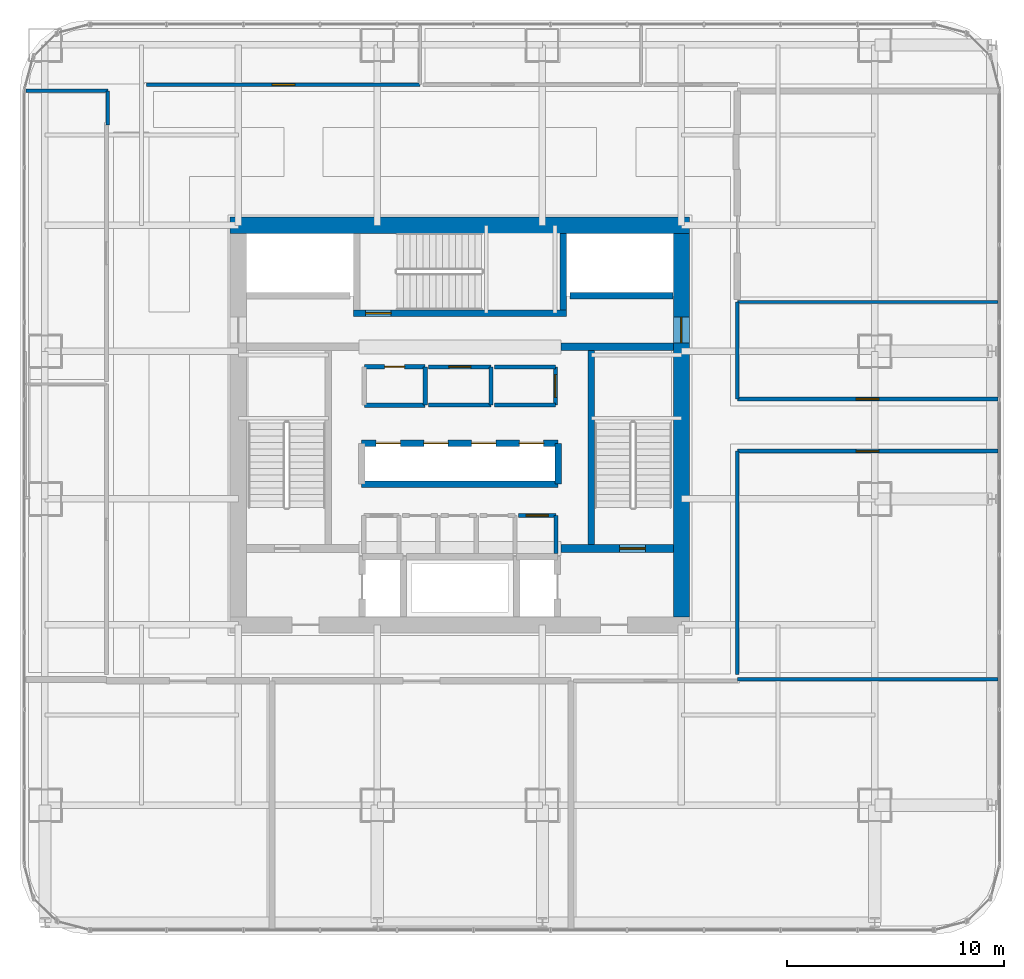
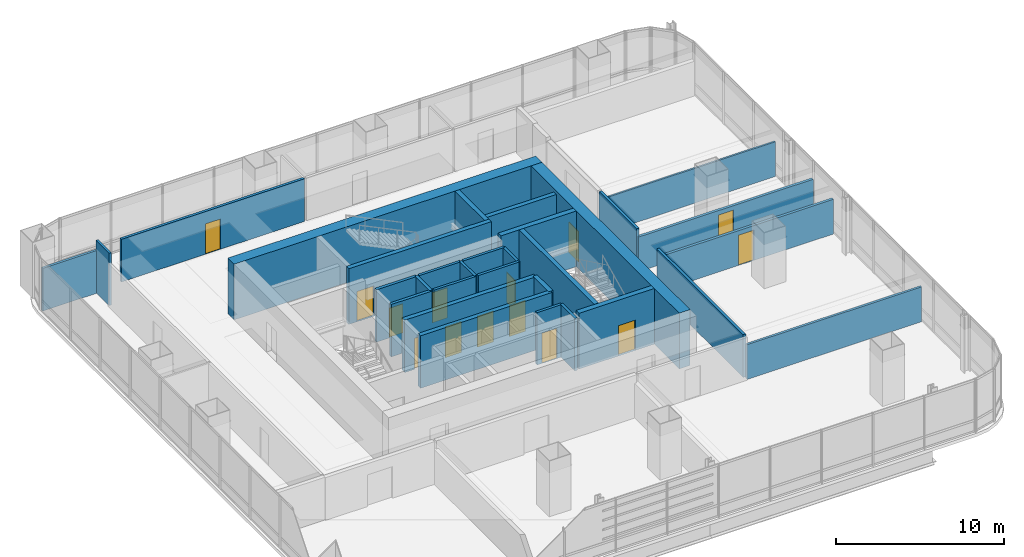
# One storey, part 28 of 34: 31 walls, 14 doors, 14 openings.
"""IFC4 building model written with IfcOpenShell, lengths in metres."""

import ifcopenshell
import ifcopenshell.guid

model = None  # the IFC model being written
_history = None  # IfcOwnerHistory: only IFC2X3 demands one
_inside = {}  # id of a spatial element -> (the spatial element, [elements in it])
_under = {}  # id of a project, library or spatial element -> (it, [spatial elements below it])
_declared = {}  # id of a project -> (the project, [libraries it declares])
_typed = {}  # id of a type object -> (the type object, [elements of that type])
_made_of = {}  # id of a material, layer set ... -> (it, [elements and type objects made of it])


def new_model(schema):
    """Start an empty IFC model of exactly this schema.

    Asked for "IFC4X3", IfcOpenShell would pick the latest addendum, in which some entities
    have other attributes; the version numbers below select the first issue.
    IFC2X3 requires an IfcOwnerHistory on every rooted entity: one is made here for all.
    """
    global model, _history
    if schema == "IFC4X3":
        model = ifcopenshell.file(schema_version=(4, 3, 0, 0))
    else:
        model = ifcopenshell.file(schema=schema)
    _inside.clear()
    _under.clear()
    _declared.clear()
    _typed.clear()
    _made_of.clear()
    _history = None
    if model.schema == "IFC2X3":
        org = make("IfcOrganization", Name="unknown")
        user = make(
            "IfcPersonAndOrganization",
            ThePerson=make("IfcPerson", FamilyName="unknown"),
            TheOrganization=org,
        )
        app = make(
            "IfcApplication",
            ApplicationDeveloper=org,
            Version="unknown",
            ApplicationFullName="unknown",
            ApplicationIdentifier="unknown",
        )
        _history = make(
            "IfcOwnerHistory",
            OwningUser=user,
            OwningApplication=app,
            ChangeAction="ADDED",
            CreationDate=0,
        )
    return model


def make(cls, **values):
    """One entity of the class cls with the attributes given. An attribute that is None is left unset."""
    return model.create_entity(
        cls, **{name: value for name, value in values.items() if value is not None}
    )


def rooted(cls, **values):
    """An entity with a GlobalId (a new one), such as an element, a storey or a relation."""
    return make(cls, GlobalId=ifcopenshell.guid.new(), OwnerHistory=_history, **values)


def si_unit(unit_type, name, prefix=None):
    """IfcSIUnit, for example si_unit("LENGTHUNIT", "METRE", prefix="MILLI")."""
    return make("IfcSIUnit", UnitType=unit_type, Prefix=prefix, Name=name)


def assignment(units):
    """IfcUnitAssignment: the units of a project."""
    return None if units is None else make("IfcUnitAssignment", Units=units)


def point(xyz):
    """IfcCartesianPoint."""
    return None if xyz is None else make("IfcCartesianPoint", Coordinates=xyz)


def direction(xyz):
    """IfcDirection."""
    return None if xyz is None else make("IfcDirection", DirectionRatios=xyz)


def frame(location, z_axis=None, x_axis=None):
    """IfcAxis2Placement3D, a coordinate frame: its origin and axes. An axis left out is left unset."""
    return make(
        "IfcAxis2Placement3D",
        Location=point(location),
        Axis=direction(z_axis),
        RefDirection=direction(x_axis),
    )


def frame_2d(location, x_axis=None):
    """IfcAxis2Placement2D, a coordinate frame in the plane: its origin and x axis."""
    return make(
        "IfcAxis2Placement2D", Location=point(location), RefDirection=direction(x_axis)
    )


def origin():
    """The frame at (0, 0, 0) with its axes left unset."""
    return frame((0.0, 0.0, 0.0))


def place(relative_to, where):
    """IfcLocalPlacement: puts the frame where relative to a parent placement (None: the world)."""
    return make(
        "IfcLocalPlacement", PlacementRelTo=relative_to, RelativePlacement=where
    )


def context(
    kind, dimensions, precision=None, world=None, true_north=None, identifier=None
):
    """IfcGeometricRepresentationContext, for example the 3D "Model" context."""
    return make(
        "IfcGeometricRepresentationContext",
        ContextIdentifier=identifier,
        ContextType=kind,
        CoordinateSpaceDimension=dimensions,
        Precision=precision,
        WorldCoordinateSystem=world,
        TrueNorth=true_north,
    )


def subcontext(parent, identifier, kind, view, scale=None):
    """IfcGeometricRepresentationSubContext, for example "Body" below "Model"."""
    return make(
        "IfcGeometricRepresentationSubContext",
        ContextIdentifier=identifier,
        ContextType=kind,
        ParentContext=parent,
        TargetScale=scale,
        TargetView=view,
    )


def project(units=None, contexts=None):
    """IfcProject with its units and contexts."""
    return rooted(
        "IfcProject",
        Name="project",
        RepresentationContexts=contexts,
        UnitsInContext=assignment(units),
    )


def spatial(cls, under=None, at=None, **own):
    """A site, building, storey or space (cls), placed at a placement, below another one or the project."""
    s = rooted(cls, ObjectPlacement=at, **own)
    if under is not None:
        _under.setdefault(under.id(), (under, []))[1].append(s)
    return s


def profile(cls, at=None, kind="AREA", **sizes):
    """A parametric profile (cls). Its sizes go by their IFC names, for example OverallWidth=200.0."""
    return make(cls, ProfileType=kind, Position=at, **sizes)


def rectangle(**sizes):
    """IfcRectangleProfileDef."""
    return profile("IfcRectangleProfileDef", **sizes)


def extrude(swept, where, along, depth):
    """IfcExtrudedAreaSolid: the profile swept, set in the frame where, extruded along a direction by depth."""
    return make(
        "IfcExtrudedAreaSolid",
        SweptArea=swept,
        Position=where,
        ExtrudedDirection=direction(along),
        Depth=depth,
    )


def shape(context_of_items, identifier, shape_type, items):
    """IfcShapeRepresentation: the items that make up one representation, for example the "Body"."""
    return make(
        "IfcShapeRepresentation",
        ContextOfItems=context_of_items,
        RepresentationIdentifier=identifier,
        RepresentationType=shape_type,
        Items=items,
    )


def material(Name=None, Category=None):
    """IfcMaterial."""
    return make("IfcMaterial", Name=Name, Category=Category)


def layer(
    of_material, thickness, ventilated=None, Name=None, Category=None, Priority=None
):
    """IfcMaterialLayer: one layer of a wall or slab, of a material (None: an air gap)."""
    return make(
        "IfcMaterialLayer",
        Material=of_material,
        LayerThickness=thickness,
        IsVentilated=ventilated,
        Name=Name,
        Category=Category,
        Priority=Priority,
    )


def layer_set(layers, Name=None):
    """IfcMaterialLayerSet."""
    return make("IfcMaterialLayerSet", MaterialLayers=layers, LayerSetName=Name)


def made_of(thing, what):
    """Note that an element or type object is made of a material, layer set ...; save() writes the relation."""
    if what is not None:
        _made_of.setdefault(what.id(), (what, []))[1].append(thing)
    return thing


def type_object(cls, material=None, **own):
    """A type object (cls), such as IfcWallType, which elements share."""
    return made_of(rooted(cls, **own), material)


def element(
    cls,
    number,
    at=None,
    inside=None,
    cuts=None,
    type_object=None,
    material=None,
    context=None,
    identifier="Body",
    shape_type=None,
    held_by="IfcProductDefinitionShape",
    body=None,
    shapes=None,
    **own,
):
    """One element of the class cls, such as IfcWall. Its Tag is "e" and its number.

    at: its placement. inside: the storey or other place that contains it. cuts: it is an
    opening in that element (IfcRelVoidsElement). A single representation is given by context,
    identifier, shape_type and body (its items); several are given by shapes. held_by: the class
    of the entity that holds the representations. save() writes the other relations.
    """
    e = rooted(cls, Tag="e%d" % number, ObjectPlacement=at, **own)
    if body is not None:
        shapes = [shape(context, identifier, shape_type, body)]
    if shapes is not None:
        e.Representation = make(held_by, Representations=shapes)
    if inside is not None:
        _inside.setdefault(inside.id(), (inside, []))[1].append(e)
    if cuts is not None:
        rooted(
            "IfcRelVoidsElement", RelatingBuildingElement=cuts, RelatedOpeningElement=e
        )
    if type_object is not None:
        _typed.setdefault(type_object.id(), (type_object, []))[1].append(e)
    return made_of(e, material)


def fill(opening, filler):
    """IfcRelFillsElement: the door or window that sits in an opening."""
    return rooted(
        "IfcRelFillsElement",
        RelatingOpeningElement=opening,
        RelatedBuildingElement=filler,
    )


def aggregate(whole, parts):
    """IfcRelAggregates: a whole, such as a stair, and the parts it consists of."""
    return rooted("IfcRelAggregates", RelatingObject=whole, RelatedObjects=parts)


def save(model, path):
    """Write the relations noted so far, then the file.

    IfcRelAggregates (storeys below a building ...), IfcRelContainedInSpatialStructure (elements
    in a storey), IfcRelDefinesByType, IfcRelAssociatesMaterial and IfcRelDeclares: one each for
    every whole, place, type object, material and project.
    """
    for whole, parts in _under.values():
        aggregate(whole, parts)
    for where, things in _inside.values():
        rooted(
            "IfcRelContainedInSpatialStructure",
            RelatedElements=things,
            RelatingStructure=where,
        )
    for kind, things in _typed.values():
        rooted("IfcRelDefinesByType", RelatedObjects=things, RelatingType=kind)
    for what, things in _made_of.values():
        rooted("IfcRelAssociatesMaterial", RelatedObjects=things, RelatingMaterial=what)
    for by, libraries in _declared.values():
        rooted("IfcRelDeclares", RelatingContext=by, RelatedDefinitions=libraries)
    model.write(path)


model = new_model("IFC4")

# Units and contexts
model_context = context("Model", 3, precision=1e-05, world=origin(), true_north=direction((0.0, 1.0)))
body_context = subcontext(model_context, "Body", "Model", "MODEL_VIEW")
ifc_project = project(units=[si_unit("LENGTHUNIT", "METRE"), si_unit("AREAUNIT", "SQUARE_METRE"), si_unit("VOLUMEUNIT", "CUBIC_METRE"), si_unit("PLANEANGLEUNIT", "RADIAN"), si_unit("MASSUNIT", "GRAM", prefix="KILO")], contexts=[model_context])

# Site, building, storey
site_placement = place(None, origin())
site = spatial("IfcSite", under=ifc_project, at=site_placement, CompositionType="ELEMENT")
building_placement = place(site_placement, origin())
building = spatial("IfcBuilding", under=site, at=building_placement, Name="Punatoya Terracotta Tower", CompositionType="ELEMENT")
storey_placement = place(building_placement, frame((0.0, 0.0, 80.85009765625)))
storey = spatial("IfcBuildingStorey", under=building, at=storey_placement, Name="L18", CompositionType="ELEMENT", Elevation=80.85009765625)

# Wall
ifc_material_1 = material(Name="Concrete C60/75", Category="concrete")
ifc_layer_1 = layer(ifc_material_1, 0.75)
ifc_layer_set_1 = layer_set([ifc_layer_1], Name="Concrete C60/75")
wall_type_1 = type_object("IfcWallType", Name="WL-COR-750", PredefinedType="SHEAR", material=ifc_layer_set_1)
wall_1_placement = place(storey_placement, frame((-10.574951171875, 9.199951171875, 0.0), z_axis=(0.0, 0.0, 1.0), x_axis=(1.0, 0.0, 0.0)))
element("IfcWall", 1, at=wall_1_placement, inside=storey, type_object=wall_type_1, Name="L18 Core Shear Wall N", PredefinedType="SHEAR", context=body_context, shape_type="SweptSolid", body=[
    extrude(rectangle(XDim=21.14990234375, YDim=0.75, at=frame_2d((10.574951171875, 0.0))), origin(), (0.0, 0.0, 1.0), 4.0498046875),
])

# Wall, opening, door
wall_2_placement = place(storey_placement, frame((10.199951171875, 8.824951171875, 0.0), z_axis=(0.0, 0.0, 1.0), x_axis=(0.0, -1.0, 0.0)))
wall_2 = element("IfcWall", 2, at=wall_2_placement, inside=storey, type_object=wall_type_1, Name="L18 Core Shear Wall E", PredefinedType="SHEAR", context=body_context, shape_type="SweptSolid", body=[
    extrude(rectangle(XDim=17.64990234375, YDim=0.75, at=frame_2d((8.824951171875, 0.0))), origin(), (0.0, 0.0, 1.0), 4.0498046875),
])
opening_1_placement = place(wall_2_placement, frame((3.85498046875, 0.0, 0.0)))
opening_1 = element("IfcOpeningElement", 3, at=opening_1_placement, cuts=wall_2, Name="Opening SD-01", PredefinedType="OPENING", context=body_context, shape_type="SweptSolid", body=[
    extrude(rectangle(XDim=1.179931640625, YDim=2.199951171875, at=frame_2d((0.58984375, 1.10009765625))), frame((0.0, 0.385009765625, 0.0), z_axis=(0.0, -1.0, 0.0), x_axis=(1.0, 0.0, 0.0)), (0.0, 0.0, 1.0), 0.77001953125),
])
ifc_material_2 = material(Name="Galvanised Steel Pressurized Stair Fire Door", Category="steel")
door_type_1 = type_object("IfcDoorType", Name="DR-STR-1180", OperationType="NOTDEFINED", PredefinedType="DOOR", material=ifc_material_2)
door_1_placement = place(opening_1_placement, origin())
door_1 = element("IfcDoor", 4, at=door_1_placement, inside=storey, type_object=door_type_1, Name="L18 Central Lift Lobby East Fire Door", OperationType="SINGLE_SWING_RIGHT", OverallHeight=2.199951171875, OverallWidth=1.179931640625, PredefinedType="DOOR", context=body_context, shape_type="SweptSolid", body=[
    extrude(rectangle(XDim=1.179931640625, YDim=2.199951171875, at=frame_2d((0.58984375, 1.10009765625))), frame((0.0, 0.02490234375, 0.0), z_axis=(0.0, -1.0, 0.0), x_axis=(1.0, 0.0, 0.0)), (0.0, 0.0, 1.0), 0.050048828125),
])
fill(opening_1, door_1)

# Wall
ifc_material_3 = material(Name="Gypsum Fireboard + Steel Stud", Category="steel")
ifc_layer_2 = layer(ifc_material_3, 0.179931640625)
ifc_layer_set_2 = layer_set([ifc_layer_2], Name="Gypsum Fireboard + Steel Stud")
wall_type_2 = type_object("IfcWallType", Name="WL-CORR-180", PredefinedType="PARTITIONING", material=ifc_layer_set_2)
wall_3_placement = place(storey_placement, frame((4.419921875, -5.89990234375, 0.0), z_axis=(0.0, 0.0, 1.0), x_axis=(0.0, 1.0, 0.0)))
element("IfcWall", 5, at=wall_3_placement, inside=storey, type_object=wall_type_2, Name="L18 Core Focus Booth Partition 10", PredefinedType="PARTITIONING", context=body_context, shape_type="SweptSolid", body=[
    extrude(rectangle(XDim=1.739990234375, YDim=0.179931640625, at=frame_2d((0.8701171875, 0.0))), origin(), (0.0, 0.0, 1.0), 3.809814453125),
])

# Wall, opening, door
wall_4_placement = place(storey_placement, frame((4.419921875, -4.159912109375, 0.0), z_axis=(0.0, 0.0, 1.0), x_axis=(-1.0, 0.0, 0.0)))
wall_4 = element("IfcWall", 6, at=wall_4_placement, inside=storey, type_object=wall_type_2, Name="L18 Core Focus Booth Partition 11", PredefinedType="PARTITIONING", context=body_context, shape_type="SweptSolid", body=[
    extrude(rectangle(XDim=1.719970703125, YDim=0.179931640625, at=frame_2d((0.85986328125, 0.0))), origin(), (0.0, 0.0, 1.0), 3.809814453125),
])
opening_2_placement = place(wall_4_placement, frame((0.35009765625, 0.0, 0.0)))
opening_2 = element("IfcOpeningElement", 7, at=opening_2_placement, cuts=wall_4, Name="Opening MD-01", PredefinedType="OPENING", context=body_context, shape_type="SweptSolid", body=[
    extrude(rectangle(XDim=1.02001953125, YDim=2.199951171875, at=frame_2d((0.510009765625, 1.10009765625))), frame((0.0, 0.099853515625, 0.0), z_axis=(0.0, -1.0, 0.0), x_axis=(1.0, 0.0, 0.0)), (0.0, 0.0, 1.0), 0.199951171875),
])
ifc_material_4 = material(Name="Aluminium + Acoustic Glass Leaf", Category="aluminium")
door_type_2 = type_object("IfcDoorType", Name="DR-MTG-1020", OperationType="NOTDEFINED", PredefinedType="DOOR", material=ifc_material_4)
door_2_placement = place(opening_2_placement, origin())
door_2 = element("IfcDoor", 8, at=door_2_placement, inside=storey, type_object=door_type_2, Name="L18 Focus Booth Door", OperationType="SINGLE_SWING_RIGHT", OverallHeight=2.199951171875, OverallWidth=1.02001953125, PredefinedType="DOOR", context=body_context, shape_type="SweptSolid", body=[
    extrude(rectangle(XDim=1.02001953125, YDim=2.199951171875, at=frame_2d((0.510009765625, 1.10009765625))), frame((0.0, 0.02490234375, 0.0), z_axis=(0.0, -1.0, 0.0), x_axis=(1.0, 0.0, 0.0)), (0.0, 0.0, 1.0), 0.050048828125),
])
fill(opening_2, door_2)

# Wall
wall_5_placement = place(storey_placement, frame((1.43994140625, 0.919921875, 0.0), z_axis=(0.0, 0.0, 1.0), x_axis=(0.0, 1.0, 0.0)))
element("IfcWall", 9, at=wall_5_placement, inside=storey, type_object=wall_type_2, Name="L18 Center Core Briefing Pod Partition 16", PredefinedType="PARTITIONING", context=body_context, shape_type="SweptSolid", body=[
    extrude(rectangle(XDim=1.760009765625, YDim=0.179931640625, at=frame_2d((0.8798828125, 0.0))), origin(), (0.0, 0.0, 1.0), 3.809814453125),
])

# Wall, opening, door
wall_6_placement = place(storey_placement, frame((1.43994140625, 2.679931640625, 0.0), z_axis=(0.0, 0.0, 1.0), x_axis=(-1.0, 0.0, 0.0)))
wall_6 = element("IfcWall", 10, at=wall_6_placement, inside=storey, type_object=wall_type_2, Name="L18 Center Core Briefing Pod Partition 17", PredefinedType="PARTITIONING", context=body_context, shape_type="SweptSolid", body=[
    extrude(rectangle(XDim=2.8798828125, YDim=0.179931640625, at=frame_2d((1.43994140625, 0.0))), origin(), (0.0, 0.0, 1.0), 3.809814453125),
])
opening_3_placement = place(wall_6_placement, frame((0.929931640625, 0.0, 0.0)))
opening_3 = element("IfcOpeningElement", 11, at=opening_3_placement, cuts=wall_6, Name="Opening MD-01", PredefinedType="OPENING", context=body_context, shape_type="SweptSolid", body=[
    extrude(rectangle(XDim=1.02001953125, YDim=2.199951171875, at=frame_2d((0.510009765625, 1.10009765625))), frame((0.0, 0.099853515625, 0.0), z_axis=(0.0, -1.0, 0.0), x_axis=(1.0, 0.0, 0.0)), (0.0, 0.0, 1.0), 0.199951171875),
])
door_3_placement = place(opening_3_placement, origin())
door_3 = element("IfcDoor", 12, at=door_3_placement, inside=storey, type_object=door_type_2, Name="L18 Center Briefing Pod Door", OperationType="SINGLE_SWING_RIGHT", OverallHeight=2.199951171875, OverallWidth=1.02001953125, PredefinedType="DOOR", context=body_context, shape_type="SweptSolid", body=[
    extrude(rectangle(XDim=1.02001953125, YDim=2.199951171875, at=frame_2d((0.510009765625, 1.10009765625))), frame((0.0, 0.02490234375, 0.0), z_axis=(0.0, -1.0, 0.0), x_axis=(1.0, 0.0, 0.0)), (0.0, 0.0, 1.0), 0.050048828125),
])
fill(opening_3, door_3)

# Wall
wall_7_placement = place(storey_placement, frame((-1.43994140625, 0.919921875, 0.0), z_axis=(0.0, 0.0, 1.0), x_axis=(1.0, 0.0, 0.0)))
element("IfcWall", 13, at=wall_7_placement, inside=storey, type_object=wall_type_2, Name="L18 Center Core Briefing Pod Partition 18", PredefinedType="PARTITIONING", context=body_context, shape_type="SweptSolid", body=[
    extrude(rectangle(XDim=2.8798828125, YDim=0.179931640625, at=frame_2d((1.43994140625, 0.0))), origin(), (0.0, 0.0, 1.0), 3.809814453125),
])

# Wall, opening, door
wall_8_placement = place(storey_placement, frame((4.39990234375, 0.919921875, 0.0), z_axis=(0.0, 0.0, 1.0), x_axis=(0.0, 1.0, 0.0)))
wall_8 = element("IfcWall", 14, at=wall_8_placement, inside=storey, type_object=wall_type_2, Name="L18 Right Core Copy Room Partition 19", PredefinedType="PARTITIONING", context=body_context, shape_type="SweptSolid", body=[
    extrude(rectangle(XDim=1.760009765625, YDim=0.179931640625, at=frame_2d((0.8798828125, 0.0))), origin(), (0.0, 0.0, 1.0), 3.809814453125),
])
opening_4_placement = place(wall_8_placement, frame((0.35498046875, 0.0, 0.0)))
opening_4 = element("IfcOpeningElement", 15, at=opening_4_placement, cuts=wall_8, Name="Opening OD-01", PredefinedType="OPENING", context=body_context, shape_type="SweptSolid", body=[
    extrude(rectangle(XDim=1.050048828125, YDim=2.199951171875, at=frame_2d((0.52490234375, 1.10009765625))), frame((0.0, 0.099853515625, 0.0), z_axis=(0.0, -1.0, 0.0), x_axis=(1.0, 0.0, 0.0)), (0.0, 0.0, 1.0), 0.199951171875),
])
ifc_material_5 = material(Name="Bengal Teak Solid-Core Leaf")
door_type_3 = type_object("IfcDoorType", Name="DR-OFF-1050", OperationType="NOTDEFINED", PredefinedType="DOOR", material=ifc_material_5)
door_4_placement = place(opening_4_placement, origin())
door_4 = element("IfcDoor", 16, at=door_4_placement, inside=storey, type_object=door_type_3, Name="L18 Right Copy Room Door", OperationType="SINGLE_SWING_LEFT", OverallHeight=2.199951171875, OverallWidth=1.050048828125, PredefinedType="DOOR", context=body_context, shape_type="SweptSolid", body=[
    extrude(rectangle(XDim=1.050048828125, YDim=2.199951171875, at=frame_2d((0.52490234375, 1.10009765625))), frame((0.0, 0.02490234375, 0.0), z_axis=(0.0, -1.0, 0.0), x_axis=(1.0, 0.0, 0.0)), (0.0, 0.0, 1.0), 0.050048828125),
])
fill(opening_4, door_4)

# Walls
for number, where, z_axis, x_axis, name in (
    (17, (4.39990234375, 2.679931640625, 0.0), (0.0, 0.0, 1.0), (-1.0, 0.0, 0.0), "L18 Right Core Copy Room Partition 20"),
    (18, (1.60009765625, 0.919921875, 0.0), (0.0, 0.0, 1.0), (1.0, 0.0, 0.0), "L18 Right Core Copy Room Partition 21"),
):
    element("IfcWall", number, at=place(storey_placement, frame(where, z_axis=z_axis, x_axis=x_axis)), inside=storey, type_object=wall_type_2, Name=name, PredefinedType="PARTITIONING", context=body_context, shape_type="SweptSolid", body=[
        extrude(rectangle(XDim=2.7998046875, YDim=0.179931640625, at=frame_2d((1.39990234375, 0.0))), origin(), (0.0, 0.0, 1.0), 3.809814453125),
    ])

# Wall, opening, door
wall_9_placement = place(storey_placement, frame((12.77001953125, -1.199951171875, 0.0), z_axis=(0.0, 0.0, 1.0), x_axis=(1.0, 0.0, 0.0)))
wall_9 = element("IfcWall", 19, at=wall_9_placement, inside=storey, type_object=wall_type_2, Name="L18 Open-Plan Visitor Reception Salon Partition 29", PredefinedType="PARTITIONING", context=body_context, shape_type="SweptSolid", body=[
    extrude(rectangle(XDim=12.0, YDim=0.179931640625, at=frame_2d((6.0, 0.0))), origin(), (0.0, 0.0, 1.0), 2.52392578125),
])
opening_5_placement = place(wall_9_placement, frame((5.47509765625, 0.0, 0.0)))
opening_5 = element("IfcOpeningElement", 20, at=opening_5_placement, cuts=wall_9, Name="Opening OD-01", PredefinedType="OPENING", context=body_context, shape_type="SweptSolid", body=[
    extrude(rectangle(XDim=1.050048828125, YDim=2.199951171875, at=frame_2d((0.52490234375, 1.10009765625))), frame((0.0, 0.099853515625, 0.0), z_axis=(0.0, -1.0, 0.0), x_axis=(1.0, 0.0, 0.0)), (0.0, 0.0, 1.0), 0.199951171875),
])
door_5_placement = place(opening_5_placement, origin())
door_5 = element("IfcDoor", 21, at=door_5_placement, inside=storey, type_object=door_type_3, Name="L18 Open-Plan Visitor Reception Salon Door", OperationType="SINGLE_SWING_LEFT", OverallHeight=2.199951171875, OverallWidth=1.050048828125, PredefinedType="DOOR", context=body_context, shape_type="SweptSolid", body=[
    extrude(rectangle(XDim=1.050048828125, YDim=2.199951171875, at=frame_2d((0.52490234375, 1.10009765625))), frame((0.0, 0.02490234375, 0.0), z_axis=(0.0, -1.0, 0.0), x_axis=(1.0, 0.0, 0.0)), (0.0, 0.0, 1.0), 0.050048828125),
])
fill(opening_5, door_5)

# Wall
wall_10_placement = place(storey_placement, frame((12.77001953125, -11.489990234375, 0.0), z_axis=(0.0, 0.0, 1.0), x_axis=(0.0, 1.0, 0.0)))
element("IfcWall", 22, at=wall_10_placement, inside=storey, type_object=wall_type_2, Name="L18 Open-Plan Visitor Reception Salon Partition 30", PredefinedType="PARTITIONING", context=body_context, shape_type="SweptSolid", body=[
    extrude(rectangle(XDim=10.2900390625, YDim=0.179931640625, at=frame_2d((5.14501953125, 0.0))), origin(), (0.0, 0.0, 1.0), 3.10400390625),
])

# Wall, opening, door
wall_11_placement = place(storey_placement, frame((24.77001953125, 1.199951171875, 0.0), z_axis=(0.0, 0.0, 1.0), x_axis=(-1.0, 0.0, 0.0)))
wall_11 = element("IfcWall", 23, at=wall_11_placement, inside=storey, type_object=wall_type_2, Name="L18 Open-Plan Wellness Relaxation Lounge Partition 33", PredefinedType="PARTITIONING", context=body_context, shape_type="SweptSolid", body=[
    extrude(rectangle(XDim=12.0, YDim=0.179931640625, at=frame_2d((6.0, 0.0))), origin(), (0.0, 0.0, 1.0), 2.52392578125),
])
opening_6_placement = place(wall_11_placement, frame((5.47509765625, 0.0, 0.0)))
opening_6 = element("IfcOpeningElement", 24, at=opening_6_placement, cuts=wall_11, Name="Opening OD-01", PredefinedType="OPENING", context=body_context, shape_type="SweptSolid", body=[
    extrude(rectangle(XDim=1.050048828125, YDim=2.199951171875, at=frame_2d((0.52490234375, 1.10009765625))), frame((0.0, 0.099853515625, 0.0), z_axis=(0.0, -1.0, 0.0), x_axis=(1.0, 0.0, 0.0)), (0.0, 0.0, 1.0), 0.199951171875),
])
door_6_placement = place(opening_6_placement, origin())
door_6 = element("IfcDoor", 25, at=door_6_placement, inside=storey, type_object=door_type_3, Name="L18 Open-Plan Wellness Relaxation Lounge Door", OperationType="SINGLE_SWING_LEFT", OverallHeight=2.199951171875, OverallWidth=1.050048828125, PredefinedType="DOOR", context=body_context, shape_type="SweptSolid", body=[
    extrude(rectangle(XDim=1.050048828125, YDim=2.199951171875, at=frame_2d((0.52490234375, 1.10009765625))), frame((0.0, 0.02490234375, 0.0), z_axis=(0.0, -1.0, 0.0), x_axis=(1.0, 0.0, 0.0)), (0.0, 0.0, 1.0), 0.050048828125),
])
fill(opening_6, door_6)

# Wall
wall_12_placement = place(storey_placement, frame((12.77001953125, 1.199951171875, 0.0), z_axis=(0.0, 0.0, 1.0), x_axis=(0.0, 1.0, 0.0)))
element("IfcWall", 26, at=wall_12_placement, inside=storey, type_object=wall_type_2, Name="L18 Open-Plan Wellness Relaxation Lounge Partition 34", PredefinedType="PARTITIONING", context=body_context, shape_type="SweptSolid", body=[
    extrude(rectangle(XDim=4.469970703125, YDim=0.179931640625, at=frame_2d((2.23486328125, 0.0))), origin(), (0.0, 0.0, 1.0), 3.10400390625),
])

# Wall, opening, door
wall_13_placement = place(storey_placement, frame((-1.826904296875, 15.669921875, 0.0), z_axis=(0.0, 0.0, 1.0), x_axis=(-1.0, 0.0, 0.0)))
wall_13 = element("IfcWall", 27, at=wall_13_placement, inside=storey, type_object=wall_type_2, Name="L18 Open-Plan Terrace Refreshment Lounge Partition 44", PredefinedType="PARTITIONING", context=body_context, shape_type="SweptSolid", body=[
    extrude(rectangle(XDim=12.593017578125, YDim=0.179931640625, at=frame_2d((6.29638671875, 0.0))), origin(), (0.0, 0.0, 1.0), 3.10400390625),
])
opening_7_placement = place(wall_13_placement, frame((5.771484375, 0.0, 0.0)))
opening_7 = element("IfcOpeningElement", 28, at=opening_7_placement, cuts=wall_13, Name="Opening OD-01", PredefinedType="OPENING", context=body_context, shape_type="SweptSolid", body=[
    extrude(rectangle(XDim=1.050048828125, YDim=2.199951171875, at=frame_2d((0.52490234375, 1.10009765625))), frame((0.0, 0.099853515625, 0.0), z_axis=(0.0, -1.0, 0.0), x_axis=(1.0, 0.0, 0.0)), (0.0, 0.0, 1.0), 0.199951171875),
])
door_7_placement = place(opening_7_placement, origin())
door_7 = element("IfcDoor", 29, at=door_7_placement, inside=storey, type_object=door_type_3, Name="L18 Open-Plan Terrace Refreshment Lounge Door", OperationType="SINGLE_SWING_RIGHT", OverallHeight=2.199951171875, OverallWidth=1.050048828125, PredefinedType="DOOR", context=body_context, shape_type="SweptSolid", body=[
    extrude(rectangle(XDim=1.050048828125, YDim=2.199951171875, at=frame_2d((0.52490234375, 1.10009765625))), frame((0.0, 0.02490234375, 0.0), z_axis=(0.0, -1.0, 0.0), x_axis=(1.0, 0.0, 0.0)), (0.0, 0.0, 1.0), 0.050048828125),
])
fill(opening_7, door_7)

# Wall
ifc_material_6 = material(Name="Concrete C40/50", Category="concrete")
ifc_layer_3 = layer(ifc_material_6, 0.199951171875)
ifc_layer_set_3 = layer_set([ifc_layer_3], Name="Concrete C40/50")
wall_type_3 = type_object("IfcWallType", Name="WL-INT-200", PredefinedType="SOLIDWALL", material=ifc_layer_set_3)
wall_14_placement = place(storey_placement, frame((-1.60009765625, 0.919921875, 0.0), z_axis=(0.0, 0.0, 1.0), x_axis=(0.0, 1.0, 0.0)))
element("IfcWall", 30, at=wall_14_placement, inside=storey, type_object=wall_type_3, Name="L18 Left Core Store Partition 12", PredefinedType="SOLIDWALL", context=body_context, shape_type="SweptSolid", body=[
    extrude(rectangle(XDim=1.760009765625, YDim=0.199951171875, at=frame_2d((0.8798828125, 0.0))), origin(), (0.0, 0.0, 1.0), 3.809814453125),
])

# Wall, opening, door
wall_15_placement = place(storey_placement, frame((-1.60009765625, 2.679931640625, 0.0), z_axis=(0.0, 0.0, 1.0), x_axis=(-1.0, 0.0, 0.0)))
wall_15 = element("IfcWall", 31, at=wall_15_placement, inside=storey, type_object=wall_type_3, Name="L18 Left Core Store Partition 13", PredefinedType="SOLIDWALL", context=body_context, shape_type="SweptSolid", body=[
    extrude(rectangle(XDim=2.7998046875, YDim=0.199951171875, at=frame_2d((1.39990234375, 0.0))), origin(), (0.0, 0.0, 1.0), 3.809814453125),
])
opening_8_placement = place(wall_15_placement, frame((0.93994140625, 0.0, 0.0)))
opening_8 = element("IfcOpeningElement", 32, at=opening_8_placement, cuts=wall_15, Name="Opening FD-R1", PredefinedType="OPENING", context=body_context, shape_type="SweptSolid", body=[
    extrude(rectangle(XDim=0.919921875, YDim=2.10009765625, at=frame_2d((0.4599609375, 1.050048828125))), frame((0.0, 0.10986328125, 0.0), z_axis=(0.0, -1.0, 0.0), x_axis=(1.0, 0.0, 0.0)), (0.0, 0.0, 1.0), 0.219970703125),
])
ifc_material_7 = material(Name="Galvanised Steel Riser Fire Access Door", Category="steel")
door_type_4 = type_object("IfcDoorType", Name="DR-RSR-920", OperationType="NOTDEFINED", PredefinedType="DOOR", material=ifc_material_7)
door_8_placement = place(opening_8_placement, origin())
door_8 = element("IfcDoor", 33, at=door_8_placement, inside=storey, type_object=door_type_4, Name="L18 Left Core Store Fire Door", OperationType="SINGLE_SWING_LEFT", OverallHeight=2.10009765625, OverallWidth=0.919921875, PredefinedType="DOOR", context=body_context, shape_type="SweptSolid", body=[
    extrude(rectangle(XDim=0.919921875, YDim=2.10009765625, at=frame_2d((0.4599609375, 1.050048828125))), frame((0.0, 0.02490234375, 0.0), z_axis=(0.0, -1.0, 0.0), x_axis=(1.0, 0.0, 0.0)), (0.0, 0.0, 1.0), 0.050048828125),
])
fill(opening_8, door_8)

# Walls
wall_16_placement = place(storey_placement, frame((-4.39990234375, 0.919921875, 0.0), z_axis=(0.0, 0.0, 1.0), x_axis=(1.0, 0.0, 0.0)))
element("IfcWall", 34, at=wall_16_placement, inside=storey, type_object=wall_type_3, Name="L18 Left Core Store Partition 15", PredefinedType="SOLIDWALL", context=body_context, shape_type="SweptSolid", body=[
    extrude(rectangle(XDim=2.7998046875, YDim=0.199951171875, at=frame_2d((1.39990234375, 0.0))), origin(), (0.0, 0.0, 1.0), 3.809814453125),
])
ifc_material_8 = material(Name="Gypsum Partition + Steel Stud", Category="steel")
ifc_layer_4 = layer(ifc_material_8, 0.1201171875)
ifc_layer_set_4 = layer_set([ifc_layer_4], Name="Gypsum Partition + Steel Stud")
wall_type_4 = type_object("IfcWallType", Name="WL-OFF-120", PredefinedType="PARTITIONING", material=ifc_layer_set_4)
wall_17_placement = place(storey_placement, frame((12.77001953125, 5.669921875, 0.0), z_axis=(0.0, 0.0, 1.0), x_axis=(1.0, 0.0, 0.0)))
element("IfcWall", 35, at=wall_17_placement, inside=storey, type_object=wall_type_4, Name="L18 Open-Plan Wellness Relaxation Lounge Partition 35", PredefinedType="PARTITIONING", context=body_context, shape_type="SweptSolid", body=[
    extrude(rectangle(XDim=12.0, YDim=0.1201171875, at=frame_2d((6.0, 0.0))), origin(), (0.0, 0.0, 1.0), 2.52392578125),
])
ifc_layer_5 = layer(ifc_material_6, 0.300048828125)
ifc_layer_set_5 = layer_set([ifc_layer_5], Name="Concrete C40/50")
wall_type_5 = type_object("IfcWallType", Name="WL-SHF-300", PredefinedType="SOLIDWALL", material=ifc_layer_set_5)
wall_18_placement = place(storey_placement, frame((6.050048828125, 3.449951171875, 0.0), z_axis=(0.0, 0.0, 1.0), x_axis=(0.0, -1.0, 0.0)))
element("IfcWall", 36, at=wall_18_placement, inside=storey, type_object=wall_type_5, Name="L18 Structural Stair Shaft Wall SW-ST2-W", PredefinedType="SOLIDWALL", context=body_context, shape_type="SweptSolid", body=[
    extrude(rectangle(XDim=8.949951171875, YDim=0.300048828125, at=frame_2d((4.47509765625, 0.0))), origin(), (0.0, 0.0, 1.0), 4.0498046875),
])
wall_19_placement = place(storey_placement, frame((4.75, 8.824951171875, 0.0), z_axis=(0.0, 0.0, 1.0), x_axis=(0.0, -1.0, 0.0)))
element("IfcWall", 37, at=wall_19_placement, inside=storey, type_object=wall_type_5, Name="L18 Structural Stair Shaft Wall SW-ST3-E", PredefinedType="SOLIDWALL", context=body_context, shape_type="SweptSolid", body=[
    extrude(rectangle(XDim=3.52490234375, YDim=0.300048828125, at=frame_2d((1.762451171875, 0.0))), origin(), (0.0, 0.0, 1.0), 4.0498046875),
])

# Wall, opening, door
wall_20_placement = place(storey_placement, frame((-4.89990234375, 5.14990234375, 0.0), z_axis=(0.0, 0.0, 1.0), x_axis=(1.0, 0.0, 0.0)))
wall_20 = element("IfcWall", 38, at=wall_20_placement, inside=storey, type_object=wall_type_5, Name="L18 Structural Stair Shaft Wall SW-ST3-S", PredefinedType="SOLIDWALL", context=body_context, shape_type="SweptSolid", body=[
    extrude(rectangle(XDim=9.7998046875, YDim=0.300048828125, at=frame_2d((4.89990234375, 0.0))), origin(), (0.0, 0.0, 1.0), 4.0498046875),
])
opening_9_placement = place(wall_20_placement, frame((0.56005859375, 0.0, 0.0)))
opening_9 = element("IfcOpeningElement", 39, at=opening_9_placement, cuts=wall_20, Name="Opening SD-01", PredefinedType="OPENING", context=body_context, shape_type="SweptSolid", body=[
    extrude(rectangle(XDim=1.179931640625, YDim=2.199951171875, at=frame_2d((0.58984375, 1.10009765625))), frame((0.0, 0.159912109375, 0.0), z_axis=(0.0, -1.0, 0.0), x_axis=(1.0, 0.0, 0.0)), (0.0, 0.0, 1.0), 0.320068359375),
])
door_9_placement = place(opening_9_placement, origin())
door_9 = element("IfcDoor", 40, at=door_9_placement, inside=storey, type_object=door_type_1, Name="L18 Stair ST-3 Core Lobby Fire Door", OperationType="SINGLE_SWING_LEFT", OverallHeight=2.199951171875, OverallWidth=1.179931640625, PredefinedType="DOOR", context=body_context, shape_type="SweptSolid", body=[
    extrude(rectangle(XDim=1.179931640625, YDim=2.199951171875, at=frame_2d((0.58984375, 1.10009765625))), frame((0.0, 0.02490234375, 0.0), z_axis=(0.0, -1.0, 0.0), x_axis=(1.0, 0.0, 0.0)), (0.0, 0.0, 1.0), 0.050048828125),
])
fill(opening_9, door_9)

# Wall, openings, doors
wall_21_placement = place(storey_placement, frame((-4.52001953125, -0.840087890625, 0.0), z_axis=(0.0, 0.0, 1.0), x_axis=(1.0, 0.0, 0.0)))
wall_21 = element("IfcWall", 41, at=wall_21_placement, inside=storey, type_object=wall_type_5, Name="L18 South Lift Bank Front Shaft Wall", PredefinedType="SOLIDWALL", context=body_context, shape_type="SweptSolid", body=[
    extrude(rectangle(XDim=9.0400390625, YDim=0.300048828125, at=frame_2d((4.52001953125, 0.0))), origin(), (0.0, 0.0, 1.0), 3.809814453125),
])
opening_10_placement = place(wall_21_placement, frame((0.659912109375, 0.0, 0.0)))
opening_10 = element("IfcOpeningElement", 42, at=opening_10_placement, cuts=wall_21, Name="Opening LD-02", PredefinedType="OPENING", context=body_context, shape_type="SweptSolid", body=[
    extrude(rectangle(XDim=1.1201171875, YDim=2.25, at=frame_2d((0.56005859375, 1.125))), frame((0.0, 0.159912109375, 0.0), z_axis=(0.0, -1.0, 0.0), x_axis=(1.0, 0.0, 0.0)), (0.0, 0.0, 1.0), 0.320068359375),
])
opening_11_placement = place(wall_21_placement, frame((2.860107421875, 0.0, 0.0)))
opening_11 = element("IfcOpeningElement", 43, at=opening_11_placement, cuts=wall_21, Name="Opening LD-02", PredefinedType="OPENING", context=body_context, shape_type="SweptSolid", body=[
    extrude(rectangle(XDim=1.1201171875, YDim=2.25, at=frame_2d((0.56005859375, 1.125))), frame((0.0, 0.159912109375, 0.0), z_axis=(0.0, -1.0, 0.0), x_axis=(1.0, 0.0, 0.0)), (0.0, 0.0, 1.0), 0.320068359375),
])
opening_12_placement = place(wall_21_placement, frame((5.06005859375, 0.0, 0.0)))
opening_12 = element("IfcOpeningElement", 44, at=opening_12_placement, cuts=wall_21, Name="Opening LD-02", PredefinedType="OPENING", context=body_context, shape_type="SweptSolid", body=[
    extrude(rectangle(XDim=1.1201171875, YDim=2.25, at=frame_2d((0.56005859375, 1.125))), frame((0.0, 0.159912109375, 0.0), z_axis=(0.0, -1.0, 0.0), x_axis=(1.0, 0.0, 0.0)), (0.0, 0.0, 1.0), 0.320068359375),
])
opening_13_placement = place(wall_21_placement, frame((7.260009765625, 0.0, 0.0)))
opening_13 = element("IfcOpeningElement", 45, at=opening_13_placement, cuts=wall_21, Name="Opening LD-02", PredefinedType="OPENING", context=body_context, shape_type="SweptSolid", body=[
    extrude(rectangle(XDim=1.1201171875, YDim=2.25, at=frame_2d((0.56005859375, 1.125))), frame((0.0, 0.159912109375, 0.0), z_axis=(0.0, -1.0, 0.0), x_axis=(1.0, 0.0, 0.0)), (0.0, 0.0, 1.0), 0.320068359375),
])
ifc_material_9 = material(Name="Stainless Steel Lift Landing Door", Category="steel")
door_type_5 = type_object("IfcDoorType", Name="DR-LND-1120", OperationType="NOTDEFINED", PredefinedType="DOOR", material=ifc_material_9)
door_10_placement = place(opening_10_placement, origin())
door_10 = element("IfcDoor", 46, at=door_10_placement, inside=storey, type_object=door_type_5, Name="L18 Lift PL-L1 Sliding Landing Door", OperationType="DOUBLE_DOOR_SLIDING", OverallHeight=2.25, OverallWidth=1.1201171875, PredefinedType="DOOR", context=body_context, shape_type="SweptSolid", body=[
    extrude(rectangle(XDim=1.1201171875, YDim=2.25, at=frame_2d((0.56005859375, 1.125))), frame((0.0, 0.02490234375, 0.0), z_axis=(0.0, -1.0, 0.0), x_axis=(1.0, 0.0, 0.0)), (0.0, 0.0, 1.0), 0.050048828125),
])
fill(opening_10, door_10)
door_11_placement = place(opening_11_placement, origin())
door_11 = element("IfcDoor", 47, at=door_11_placement, inside=storey, type_object=door_type_5, Name="L18 Lift PL-L2 Sliding Landing Door", OperationType="DOUBLE_DOOR_SLIDING", OverallHeight=2.25, OverallWidth=1.1201171875, PredefinedType="DOOR", context=body_context, shape_type="SweptSolid", body=[
    extrude(rectangle(XDim=1.1201171875, YDim=2.25, at=frame_2d((0.56005859375, 1.125))), frame((0.0, 0.02490234375, 0.0), z_axis=(0.0, -1.0, 0.0), x_axis=(1.0, 0.0, 0.0)), (0.0, 0.0, 1.0), 0.050048828125),
])
fill(opening_11, door_11)
door_12_placement = place(opening_12_placement, origin())
door_12 = element("IfcDoor", 48, at=door_12_placement, inside=storey, type_object=door_type_5, Name="L18 Lift PL-L3 Sliding Landing Door", OperationType="DOUBLE_DOOR_SLIDING", OverallHeight=2.25, OverallWidth=1.1201171875, PredefinedType="DOOR", context=body_context, shape_type="SweptSolid", body=[
    extrude(rectangle(XDim=1.1201171875, YDim=2.25, at=frame_2d((0.56005859375, 1.125))), frame((0.0, 0.02490234375, 0.0), z_axis=(0.0, -1.0, 0.0), x_axis=(1.0, 0.0, 0.0)), (0.0, 0.0, 1.0), 0.050048828125),
])
fill(opening_12, door_12)
door_13_placement = place(opening_13_placement, origin())
door_13 = element("IfcDoor", 49, at=door_13_placement, inside=storey, type_object=door_type_5, Name="L18 Lift PL-L4 Sliding Landing Door", OperationType="DOUBLE_DOOR_SLIDING", OverallHeight=2.25, OverallWidth=1.1201171875, PredefinedType="DOOR", context=body_context, shape_type="SweptSolid", body=[
    extrude(rectangle(XDim=1.1201171875, YDim=2.25, at=frame_2d((0.56005859375, 1.125))), frame((0.0, 0.02490234375, 0.0), z_axis=(0.0, -1.0, 0.0), x_axis=(1.0, 0.0, 0.0)), (0.0, 0.0, 1.0), 0.050048828125),
])
fill(opening_13, door_13)

# Walls
wall_22_placement = place(storey_placement, frame((-4.52001953125, -2.719970703125, 0.0), z_axis=(0.0, 0.0, 1.0), x_axis=(1.0, 0.0, 0.0)))
element("IfcWall", 50, at=wall_22_placement, inside=storey, type_object=wall_type_5, Name="L18 South Lift Bank Rear Shaft Wall", PredefinedType="SOLIDWALL", context=body_context, shape_type="SweptSolid", body=[
    extrude(rectangle(XDim=9.0400390625, YDim=0.300048828125, at=frame_2d((4.52001953125, 0.0))), origin(), (0.0, 0.0, 1.0), 3.809814453125),
])
wall_23_placement = place(storey_placement, frame((4.52001953125, -2.719970703125, 0.0), z_axis=(0.0, 0.0, 1.0), x_axis=(0.0, 1.0, 0.0)))
element("IfcWall", 51, at=wall_23_placement, inside=storey, type_object=wall_type_5, Name="L18 South Lift Bank East End Wall", PredefinedType="SOLIDWALL", context=body_context, shape_type="SweptSolid", body=[
    extrude(rectangle(XDim=1.8798828125, YDim=0.300048828125, at=frame_2d((0.93994140625, 0.0))), origin(), (0.0, 0.0, 1.0), 3.809814453125),
])
wall_24_placement = place(storey_placement, frame((5.06005859375, 5.949951171875, 0.0), z_axis=(0.0, 0.0, 1.0), x_axis=(1.0, 0.0, 0.0)))
element("IfcWall", 52, at=wall_24_placement, inside=storey, type_object=wall_type_5, Name="L18 Shuttle SL-2 South Hoistway Wall", PredefinedType="SOLIDWALL", context=body_context, shape_type="SweptSolid", body=[
    extrude(rectangle(XDim=4.760009765625, YDim=0.300048828125, at=frame_2d((2.3798828125, 0.0))), origin(), (0.0, 0.0, 1.0), 3.809814453125),
])

# Wall, opening, door
ifc_material_10 = material(Name="Concrete C50/60", Category="concrete")
ifc_layer_6 = layer(ifc_material_10, 0.35009765625)
ifc_layer_set_6 = layer_set([ifc_layer_6], Name="Concrete C50/60")
wall_type_6 = type_object("IfcWallType", Name="WL-SHF-350", PredefinedType="SOLIDWALL", material=ifc_layer_set_6)
wall_25_placement = place(storey_placement, frame((4.64990234375, -5.679931640625, 0.0), z_axis=(0.0, 0.0, 1.0), x_axis=(1.0, 0.0, 0.0)))
wall_25 = element("IfcWall", 53, at=wall_25_placement, inside=storey, type_object=wall_type_6, Name="L18 Core Web Wall CSW-R", PredefinedType="SOLIDWALL", context=body_context, shape_type="SweptSolid", body=[
    extrude(rectangle(XDim=5.175048828125, YDim=0.35009765625, at=frame_2d((2.58740234375, 0.0))), origin(), (0.0, 0.0, 1.0), 4.0498046875),
])
opening_14_placement = place(wall_25_placement, frame((2.7099609375, 0.0, 0.0)))
opening_14 = element("IfcOpeningElement", 54, at=opening_14_placement, cuts=wall_25, Name="Opening SD-01", PredefinedType="OPENING", context=body_context, shape_type="SweptSolid", body=[
    extrude(rectangle(XDim=1.179931640625, YDim=2.199951171875, at=frame_2d((0.58984375, 1.10009765625))), frame((0.0, 0.18505859375, 0.0), z_axis=(0.0, -1.0, 0.0), x_axis=(1.0, 0.0, 0.0)), (0.0, 0.0, 1.0), 0.3701171875),
])
door_14_placement = place(opening_14_placement, origin())
door_14 = element("IfcDoor", 55, at=door_14_placement, inside=storey, type_object=door_type_1, Name="L18 Stair ST-2 Smokeproof Lobby Fire Door", OperationType="SINGLE_SWING_RIGHT", OverallHeight=2.199951171875, OverallWidth=1.179931640625, PredefinedType="DOOR", context=body_context, shape_type="SweptSolid", body=[
    extrude(rectangle(XDim=1.179931640625, YDim=2.199951171875, at=frame_2d((0.58984375, 1.10009765625))), frame((0.0, 0.02490234375, 0.0), z_axis=(0.0, -1.0, 0.0), x_axis=(1.0, 0.0, 0.0)), (0.0, 0.0, 1.0), 0.050048828125),
])
fill(opening_14, door_14)

# Walls
wall_26_placement = place(storey_placement, frame((4.64990234375, 3.60009765625, 0.0), z_axis=(0.0, 0.0, 1.0), x_axis=(1.0, 0.0, 0.0)))
element("IfcWall", 56, at=wall_26_placement, inside=storey, type_object=wall_type_6, Name="L18 Core Web Wall CNW-R", PredefinedType="SOLIDWALL", context=body_context, shape_type="SweptSolid", body=[
    extrude(rectangle(XDim=5.175048828125, YDim=0.35009765625, at=frame_2d((2.58740234375, 0.0))), origin(), (0.0, 0.0, 1.0), 4.0498046875),
])
ifc_material_11 = material(Name="Masonry Blockwork + Ceramic Tile", Category="masonry")
ifc_layer_7 = layer(ifc_material_11, 0.159912109375)
ifc_layer_set_7 = layer_set([ifc_layer_7], Name="Masonry Blockwork + Ceramic Tile")
wall_type_7 = type_object("IfcWallType", Name="WL-WET-160", PredefinedType="PARTITIONING", material=ifc_layer_set_7)
wall_27_placement = place(storey_placement, frame((12.77001953125, -11.7099609375, 0.0), z_axis=(0.0, 0.0, 1.0), x_axis=(1.0, 0.0, 0.0)))
element("IfcWall", 57, at=wall_27_placement, inside=storey, type_object=wall_type_7, Name="L18 Catering Tea Pantry Partition 27", PredefinedType="PARTITIONING", context=body_context, shape_type="SweptSolid", body=[
    extrude(rectangle(XDim=12.0, YDim=0.159912109375, at=frame_2d((6.0, 0.0))), origin(), (0.0, 0.0, 1.0), 2.52392578125),
])
wall_28_placement = place(storey_placement, frame((-19.969970703125, 15.389892578125, 0.0), z_axis=(0.0, 0.0, 1.0), x_axis=(1.0, 0.0, 0.0)))
element("IfcWall", 58, at=wall_28_placement, inside=storey, type_object=wall_type_7, Name="L18 Open-Plan Barista Espresso Pantry Partition 36", PredefinedType="PARTITIONING", context=body_context, shape_type="SweptSolid", body=[
    extrude(rectangle(XDim=3.760009765625, YDim=0.159912109375, at=frame_2d((1.8798828125, 0.0))), origin(), (0.0, 0.0, 1.0), 3.10400390625),
])
wall_29_placement = place(storey_placement, frame((-16.2099609375, 15.389892578125, 0.0), z_axis=(0.0, 0.0, 1.0), x_axis=(0.0, -1.0, 0.0)))
element("IfcWall", 59, at=wall_29_placement, inside=storey, type_object=wall_type_7, Name="L18 Open-Plan Barista Espresso Pantry Partition 37", PredefinedType="PARTITIONING", context=body_context, shape_type="SweptSolid", body=[
    extrude(rectangle(XDim=1.56982421875, YDim=0.159912109375, at=frame_2d((0.784912109375, 0.0))), origin(), (0.0, 0.0, 1.0), 3.809814453125),
])

save(model, "model.ifc")
